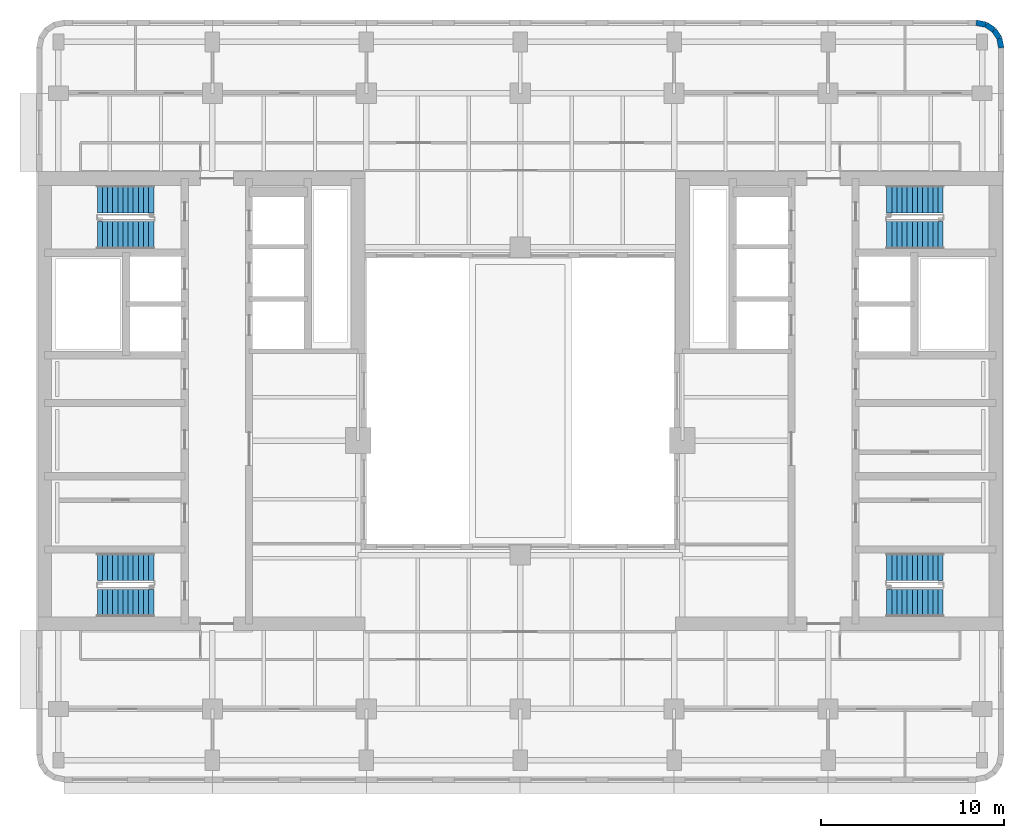
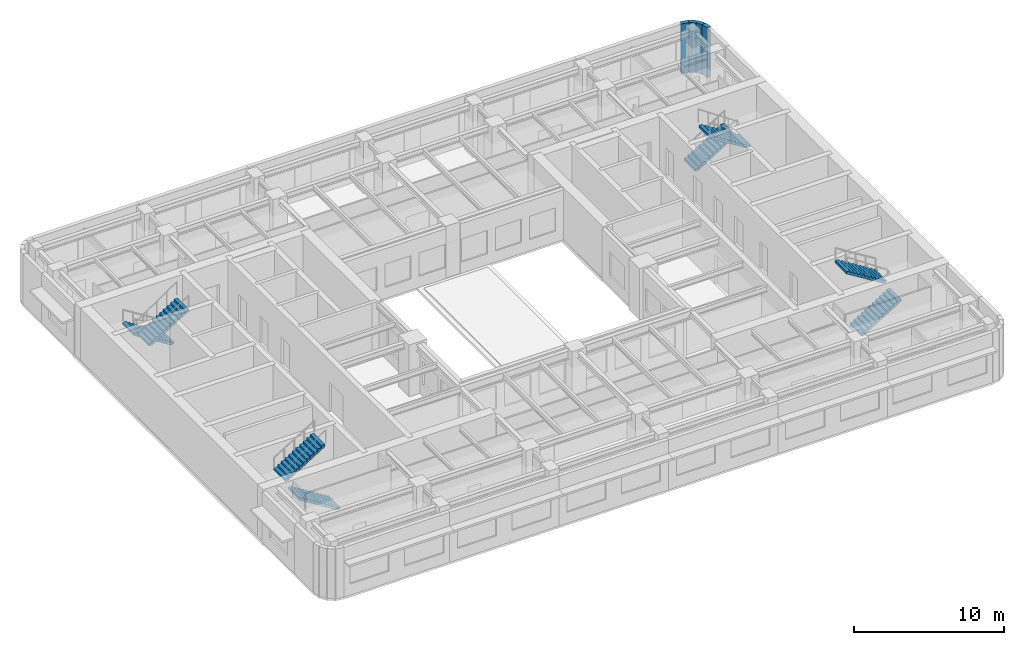
# One storey, part 8 of 11: 8 stair flights, 4 walls, 4 elements without a shape of their own.
"""IFC4 building model written with IfcOpenShell, lengths in metres."""

from ifc_helpers import new_model, si_unit, direction, frame, frame_2d, origin, place, context, subcontext, project, spatial, polyline, rectangle, outline, extrude, material, layer, layer_set, type_object, element, aggregate, save


model = new_model("IFC4")

# Units and contexts
model_context = context("Model", 3, precision=1e-05, world=origin(), true_north=direction((0.0, 1.0)))
body_context = subcontext(model_context, "Body", "Model", "MODEL_VIEW")
ifc_project = project(units=[si_unit("LENGTHUNIT", "METRE"), si_unit("AREAUNIT", "SQUARE_METRE"), si_unit("VOLUMEUNIT", "CUBIC_METRE"), si_unit("PLANEANGLEUNIT", "RADIAN"), si_unit("MASSUNIT", "GRAM", prefix="KILO")], contexts=[model_context])

# Site, building, storey
site_placement = place(None, origin())
site = spatial("IfcSite", under=ifc_project, at=site_placement, CompositionType="ELEMENT")
building_placement = place(site_placement, origin())
building = spatial("IfcBuilding", under=site, at=building_placement, Name="Claustro Exchange Tower", CompositionType="ELEMENT")
storey_placement = place(building_placement, frame((0.0, 0.0, 177.60009765625)))
storey = spatial("IfcBuildingStorey", under=building, at=storey_placement, Name="L40", CompositionType="ELEMENT", Elevation=177.60009765625)

# Walls
ifc_material_1 = material(Name="Concrete HA-40 (C40/50), precast, white cement, acid-etched", Category="concrete")
ifc_layer = layer(ifc_material_1, 0.300048828125)
ifc_layer_set = layer_set([ifc_layer], Name="Concrete HA-40 (C40/50), precast, white cement, acid-etched")
wall_type = type_object("IfcWallType", Name="PC1 300 precast concrete pier panel", PredefinedType="SOLIDWALL", material=ifc_layer_set)
wall_1_placement = place(storey_placement, frame((50.085205078125, 45.85009765625, 0.0), z_axis=(0.0, 0.0, 1.0), x_axis=(0.980702050465, -0.1955082817, 0.0)))
element("IfcWall", 1, at=wall_1_placement, inside=storey, type_object=wall_type, Name="Precast pier panel PC1 L40", PredefinedType="SOLIDWALL", context=body_context, shape_type="SweptSolid", body=[
    extrude(rectangle(XDim=0.540771484375, YDim=0.300048828125, at=frame_2d((0.2705078125, 0.0))), origin(), (0.0, 0.0, 1.0), 4.0498046875),
])
wall_2_placement = place(storey_placement, frame((50.615478515625, 45.744384765625, 0.0), z_axis=(0.0, 0.0, 1.0), x_axis=(0.831692711774, -0.555236195849, 0.0)))
element("IfcWall", 2, at=wall_2_placement, inside=storey, type_object=wall_type, Name="Precast pier panel PC1 L40", PredefinedType="SOLIDWALL", context=body_context, shape_type="SweptSolid", body=[
    extrude(rectangle(XDim=0.525390625, YDim=0.300048828125, at=frame_2d((0.2626953125, 0.0))), origin(), (0.0, 0.0, 1.0), 4.0498046875),
])
wall_3_placement = place(storey_placement, frame((51.052490234375, 45.45263671875, 0.0), z_axis=(0.0, 0.0, 1.0), x_axis=(0.55534295404, -0.831621430339, 0.0)))
element("IfcWall", 3, at=wall_3_placement, inside=storey, type_object=wall_type, Name="Precast pier panel PC1 L40", PredefinedType="SOLIDWALL", context=body_context, shape_type="SweptSolid", body=[
    extrude(rectangle(XDim=0.52587890625, YDim=0.300048828125, at=frame_2d((0.262939453125, 0.0))), origin(), (0.0, 0.0, 1.0), 4.0498046875),
])
wall_4_placement = place(storey_placement, frame((51.344482421875, 45.015380859375, 0.0), z_axis=(0.0, 0.0, 1.0), x_axis=(0.195073962632, -0.980788534345, 0.0)))
element("IfcWall", 4, at=wall_4_placement, inside=storey, type_object=wall_type, Name="Precast pier panel PC1 L40", PredefinedType="SOLIDWALL", context=body_context, shape_type="SweptSolid", body=[
    extrude(rectangle(XDim=0.540771484375, YDim=0.300048828125, at=frame_2d((0.2705078125, 0.0))), origin(), (0.0, 0.0, 1.0), 4.0498046875),
])

# Stair, stair flights
ifc_material_2 = material(Name="Concrete HA-30 (C30/37), precast", Category="concrete")
stair_type = type_object("IfcStairType", Name="ST1 half-turn stair, 24 risers of 175", PredefinedType="HALF_TURN_STAIR", material=ifc_material_2)
stair_1_placement = place(storey_placement, origin())
stair_1 = element("IfcStair", 5, at=stair_1_placement, inside=storey, type_object=stair_type, Name="Stair STWA L40", PredefinedType="HALF_TURN_STAIR")
ifc_material_3 = material(Name="Concrete HA-30 (C30/37), precast", Category="concrete")
stair_flight_type = type_object("IfcStairFlightType", Name="SF12A straight flight, 12 risers of 175, 1500 wide", PredefinedType="STRAIGHT", material=ifc_material_3)
stair_flight_1_placement = place(storey_placement, frame((5.199951171875, 14.175048828125, 0.0), z_axis=(0.0, 0.0, 1.0), x_axis=(-1.0, 0.0, 0.0)))
stair_flight_1 = element("IfcStairFlight", 6, at=stair_flight_1_placement, type_object=stair_flight_type, Name="STWA flight 1", NumberOfRisers=12, NumberOfTreads=11, PredefinedType="STRAIGHT", RiserHeight=0.175, TreadLength=0.28, context=body_context, shape_type="SweptSolid", body=[
    extrude(outline(polyline([(0.0, 0.0), (0.0, 0.175048828125), (0.280029296875, 0.175048828125), (0.280029296875, 0.35009765625), (0.56005859375, 0.35009765625), (0.56005859375, 0.52490234375), (0.840087890625, 0.52490234375), (0.840087890625, 0.699951171875), (1.1201171875, 0.699951171875), (1.1201171875, 0.875), (1.39990234375, 0.875), (1.39990234375, 1.050048828125), (1.679931640625, 1.050048828125), (1.679931640625, 1.22509765625), (1.9599609375, 1.22509765625), (1.9599609375, 1.39990234375), (2.239990234375, 1.39990234375), (2.239990234375, 1.574951171875), (2.52001953125, 1.574951171875), (2.52001953125, 1.75), (2.800048828125, 1.75), (2.800048828125, 1.925048828125), (3.080078125, 1.925048828125), (3.080078125, 2.10009765625), (3.080078125, 1.748291015625), (0.28271484375, 0.0), (0.0, 0.0)])), frame((0.0, 0.75, 0.0), z_axis=(0.0, -1.0, 0.0), x_axis=(1.0, 0.0, 0.0)), (0.0, 0.0, 1.0), 1.5),
])
stair_flight_2_placement = place(storey_placement, frame((2.1201171875, 16.14990234375, 2.099853515625), z_axis=(0.0, 0.0, 1.0), x_axis=(1.0, 0.0, 0.0)))
stair_flight_2 = element("IfcStairFlight", 7, at=stair_flight_2_placement, type_object=stair_flight_type, Name="STWA flight 2", NumberOfRisers=12, NumberOfTreads=11, PredefinedType="STRAIGHT", RiserHeight=0.175, TreadLength=0.28, context=body_context, shape_type="SweptSolid", body=[
    extrude(outline(polyline([(0.0, 0.0), (0.0, 0.175048828125), (0.280029296875, 0.175048828125), (0.280029296875, 0.35009765625), (0.56005859375, 0.35009765625), (0.56005859375, 0.52490234375), (0.840087890625, 0.52490234375), (0.840087890625, 0.699951171875), (1.1201171875, 0.699951171875), (1.1201171875, 0.875), (1.39990234375, 0.875), (1.39990234375, 1.050048828125), (1.679931640625, 1.050048828125), (1.679931640625, 1.22509765625), (1.9599609375, 1.22509765625), (1.9599609375, 1.39990234375), (2.239990234375, 1.39990234375), (2.239990234375, 1.574951171875), (2.52001953125, 1.574951171875), (2.52001953125, 1.75), (2.800048828125, 1.75), (2.800048828125, 1.925048828125), (3.080078125, 1.925048828125), (3.080078125, 2.10009765625), (3.080078125, 1.748291015625), (0.28271484375, 0.0), (0.0, 0.0)])), frame((0.0, 0.75, 0.0), z_axis=(0.0, -1.0, 0.0), x_axis=(1.0, 0.0, 0.0)), (0.0, 0.0, 1.0), 1.5),
])
aggregate(stair_1, [stair_flight_1, stair_flight_2])

stair_2_placement = place(storey_placement, origin())
stair_2 = element("IfcStair", 8, at=stair_2_placement, inside=storey, type_object=stair_type, Name="Stair STWB L40", PredefinedType="HALF_TURN_STAIR")
stair_flight_3_placement = place(storey_placement, frame((5.199951171875, 36.22509765625, 0.0), z_axis=(0.0, 0.0, 1.0), x_axis=(-1.0, 0.0, 0.0)))
stair_flight_3 = element("IfcStairFlight", 9, at=stair_flight_3_placement, type_object=stair_flight_type, Name="STWB flight 1", NumberOfRisers=12, NumberOfTreads=11, PredefinedType="STRAIGHT", RiserHeight=0.175, TreadLength=0.28, context=body_context, shape_type="SweptSolid", body=[
    extrude(outline(polyline([(0.0, 0.0), (0.0, 0.175048828125), (0.280029296875, 0.175048828125), (0.280029296875, 0.35009765625), (0.56005859375, 0.35009765625), (0.56005859375, 0.52490234375), (0.840087890625, 0.52490234375), (0.840087890625, 0.699951171875), (1.1201171875, 0.699951171875), (1.1201171875, 0.875), (1.39990234375, 0.875), (1.39990234375, 1.050048828125), (1.679931640625, 1.050048828125), (1.679931640625, 1.22509765625), (1.9599609375, 1.22509765625), (1.9599609375, 1.39990234375), (2.239990234375, 1.39990234375), (2.239990234375, 1.574951171875), (2.52001953125, 1.574951171875), (2.52001953125, 1.75), (2.800048828125, 1.75), (2.800048828125, 1.925048828125), (3.080078125, 1.925048828125), (3.080078125, 2.10009765625), (3.080078125, 1.748291015625), (0.28271484375, 0.0), (0.0, 0.0)])), frame((0.0, 0.75, 0.0), z_axis=(0.0, -1.0, 0.0), x_axis=(1.0, 0.0, 0.0)), (0.0, 0.0, 1.0), 1.5),
])
stair_flight_4_placement = place(storey_placement, frame((2.1201171875, 34.25, 2.099853515625), z_axis=(0.0, 0.0, 1.0), x_axis=(1.0, 0.0, 0.0)))
stair_flight_4 = element("IfcStairFlight", 10, at=stair_flight_4_placement, type_object=stair_flight_type, Name="STWB flight 2", NumberOfRisers=12, NumberOfTreads=11, PredefinedType="STRAIGHT", RiserHeight=0.175, TreadLength=0.28, context=body_context, shape_type="SweptSolid", body=[
    extrude(outline(polyline([(0.0, 0.0), (0.0, 0.175048828125), (0.280029296875, 0.175048828125), (0.280029296875, 0.35009765625), (0.56005859375, 0.35009765625), (0.56005859375, 0.52490234375), (0.840087890625, 0.52490234375), (0.840087890625, 0.699951171875), (1.1201171875, 0.699951171875), (1.1201171875, 0.875), (1.39990234375, 0.875), (1.39990234375, 1.050048828125), (1.679931640625, 1.050048828125), (1.679931640625, 1.22509765625), (1.9599609375, 1.22509765625), (1.9599609375, 1.39990234375), (2.239990234375, 1.39990234375), (2.239990234375, 1.574951171875), (2.52001953125, 1.574951171875), (2.52001953125, 1.75), (2.800048828125, 1.75), (2.800048828125, 1.925048828125), (3.080078125, 1.925048828125), (3.080078125, 2.10009765625), (3.080078125, 1.748291015625), (0.28271484375, 0.0), (0.0, 0.0)])), frame((0.0, 0.75, 0.0), z_axis=(0.0, -1.0, 0.0), x_axis=(1.0, 0.0, 0.0)), (0.0, 0.0, 1.0), 1.5),
])
aggregate(stair_2, [stair_flight_3, stair_flight_4])

stair_3_placement = place(storey_placement, origin())
stair_3 = element("IfcStair", 11, at=stair_3_placement, inside=storey, type_object=stair_type, Name="Stair STEA L40", PredefinedType="HALF_TURN_STAIR")
stair_flight_5_placement = place(storey_placement, frame((45.199951171875, 14.175048828125, 0.0), z_axis=(0.0, 0.0, 1.0), x_axis=(1.0, 0.0, 0.0)))
stair_flight_5 = element("IfcStairFlight", 12, at=stair_flight_5_placement, type_object=stair_flight_type, Name="STEA flight 1", NumberOfRisers=12, NumberOfTreads=11, PredefinedType="STRAIGHT", RiserHeight=0.175, TreadLength=0.28, context=body_context, shape_type="SweptSolid", body=[
    extrude(outline(polyline([(0.0, 0.0), (0.0, 0.175048828125), (0.280029296875, 0.175048828125), (0.280029296875, 0.35009765625), (0.56005859375, 0.35009765625), (0.56005859375, 0.52490234375), (0.840087890625, 0.52490234375), (0.840087890625, 0.699951171875), (1.1201171875, 0.699951171875), (1.1201171875, 0.875), (1.39990234375, 0.875), (1.39990234375, 1.050048828125), (1.679931640625, 1.050048828125), (1.679931640625, 1.22509765625), (1.9599609375, 1.22509765625), (1.9599609375, 1.39990234375), (2.239990234375, 1.39990234375), (2.239990234375, 1.574951171875), (2.52001953125, 1.574951171875), (2.52001953125, 1.75), (2.800048828125, 1.75), (2.800048828125, 1.925048828125), (3.080078125, 1.925048828125), (3.080078125, 2.10009765625), (3.080078125, 1.748291015625), (0.28271484375, 0.0), (0.0, 0.0)])), frame((0.0, 0.75, 0.0), z_axis=(0.0, -1.0, 0.0), x_axis=(1.0, 0.0, 0.0)), (0.0, 0.0, 1.0), 1.5),
])
stair_flight_6_placement = place(storey_placement, frame((48.280029296875, 16.14990234375, 2.099853515625), z_axis=(0.0, 0.0, 1.0), x_axis=(-1.0, 0.0, 0.0)))
stair_flight_6 = element("IfcStairFlight", 13, at=stair_flight_6_placement, type_object=stair_flight_type, Name="STEA flight 2", NumberOfRisers=12, NumberOfTreads=11, PredefinedType="STRAIGHT", RiserHeight=0.175, TreadLength=0.28, context=body_context, shape_type="SweptSolid", body=[
    extrude(outline(polyline([(0.0, 0.0), (0.0, 0.175048828125), (0.280029296875, 0.175048828125), (0.280029296875, 0.35009765625), (0.56005859375, 0.35009765625), (0.56005859375, 0.52490234375), (0.840087890625, 0.52490234375), (0.840087890625, 0.699951171875), (1.1201171875, 0.699951171875), (1.1201171875, 0.875), (1.39990234375, 0.875), (1.39990234375, 1.050048828125), (1.679931640625, 1.050048828125), (1.679931640625, 1.22509765625), (1.9599609375, 1.22509765625), (1.9599609375, 1.39990234375), (2.239990234375, 1.39990234375), (2.239990234375, 1.574951171875), (2.52001953125, 1.574951171875), (2.52001953125, 1.75), (2.800048828125, 1.75), (2.800048828125, 1.925048828125), (3.080078125, 1.925048828125), (3.080078125, 2.10009765625), (3.080078125, 1.748291015625), (0.28271484375, 0.0), (0.0, 0.0)])), frame((0.0, 0.75, 0.0), z_axis=(0.0, -1.0, 0.0), x_axis=(1.0, 0.0, 0.0)), (0.0, 0.0, 1.0), 1.5),
])
aggregate(stair_3, [stair_flight_5, stair_flight_6])

stair_4_placement = place(storey_placement, origin())
stair_4 = element("IfcStair", 14, at=stair_4_placement, inside=storey, type_object=stair_type, Name="Stair STEB L40", PredefinedType="HALF_TURN_STAIR")
stair_flight_7_placement = place(storey_placement, frame((45.199951171875, 36.22509765625, 0.0), z_axis=(0.0, 0.0, 1.0), x_axis=(1.0, 0.0, 0.0)))
stair_flight_7 = element("IfcStairFlight", 15, at=stair_flight_7_placement, type_object=stair_flight_type, Name="STEB flight 1", NumberOfRisers=12, NumberOfTreads=11, PredefinedType="STRAIGHT", RiserHeight=0.175, TreadLength=0.28, context=body_context, shape_type="SweptSolid", body=[
    extrude(outline(polyline([(0.0, 0.0), (0.0, 0.175048828125), (0.280029296875, 0.175048828125), (0.280029296875, 0.35009765625), (0.56005859375, 0.35009765625), (0.56005859375, 0.52490234375), (0.840087890625, 0.52490234375), (0.840087890625, 0.699951171875), (1.1201171875, 0.699951171875), (1.1201171875, 0.875), (1.39990234375, 0.875), (1.39990234375, 1.050048828125), (1.679931640625, 1.050048828125), (1.679931640625, 1.22509765625), (1.9599609375, 1.22509765625), (1.9599609375, 1.39990234375), (2.239990234375, 1.39990234375), (2.239990234375, 1.574951171875), (2.52001953125, 1.574951171875), (2.52001953125, 1.75), (2.800048828125, 1.75), (2.800048828125, 1.925048828125), (3.080078125, 1.925048828125), (3.080078125, 2.10009765625), (3.080078125, 1.748291015625), (0.28271484375, 0.0), (0.0, 0.0)])), frame((0.0, 0.75, 0.0), z_axis=(0.0, -1.0, 0.0), x_axis=(1.0, 0.0, 0.0)), (0.0, 0.0, 1.0), 1.5),
])
stair_flight_8_placement = place(storey_placement, frame((48.280029296875, 34.25, 2.099853515625), z_axis=(0.0, 0.0, 1.0), x_axis=(-1.0, 0.0, 0.0)))
stair_flight_8 = element("IfcStairFlight", 16, at=stair_flight_8_placement, type_object=stair_flight_type, Name="STEB flight 2", NumberOfRisers=12, NumberOfTreads=11, PredefinedType="STRAIGHT", RiserHeight=0.175, TreadLength=0.28, context=body_context, shape_type="SweptSolid", body=[
    extrude(outline(polyline([(0.0, 0.0), (0.0, 0.175048828125), (0.280029296875, 0.175048828125), (0.280029296875, 0.35009765625), (0.56005859375, 0.35009765625), (0.56005859375, 0.52490234375), (0.840087890625, 0.52490234375), (0.840087890625, 0.699951171875), (1.1201171875, 0.699951171875), (1.1201171875, 0.875), (1.39990234375, 0.875), (1.39990234375, 1.050048828125), (1.679931640625, 1.050048828125), (1.679931640625, 1.22509765625), (1.9599609375, 1.22509765625), (1.9599609375, 1.39990234375), (2.239990234375, 1.39990234375), (2.239990234375, 1.574951171875), (2.52001953125, 1.574951171875), (2.52001953125, 1.75), (2.800048828125, 1.75), (2.800048828125, 1.925048828125), (3.080078125, 1.925048828125), (3.080078125, 2.10009765625), (3.080078125, 1.748291015625), (0.28271484375, 0.0), (0.0, 0.0)])), frame((0.0, 0.75, 0.0), z_axis=(0.0, -1.0, 0.0), x_axis=(1.0, 0.0, 0.0)), (0.0, 0.0, 1.0), 1.5),
])
aggregate(stair_4, [stair_flight_7, stair_flight_8])

save(model, "model.ifc")
